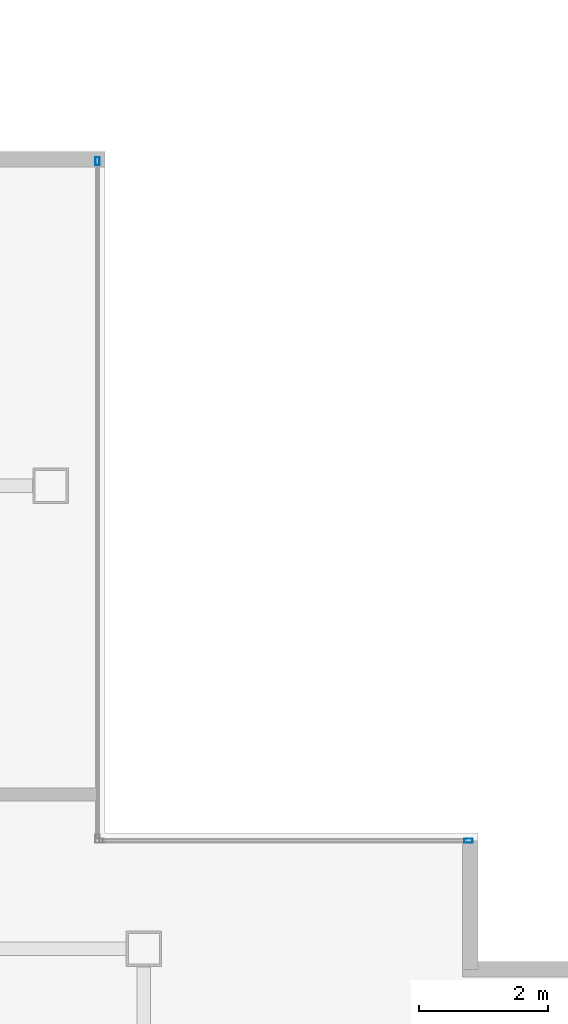
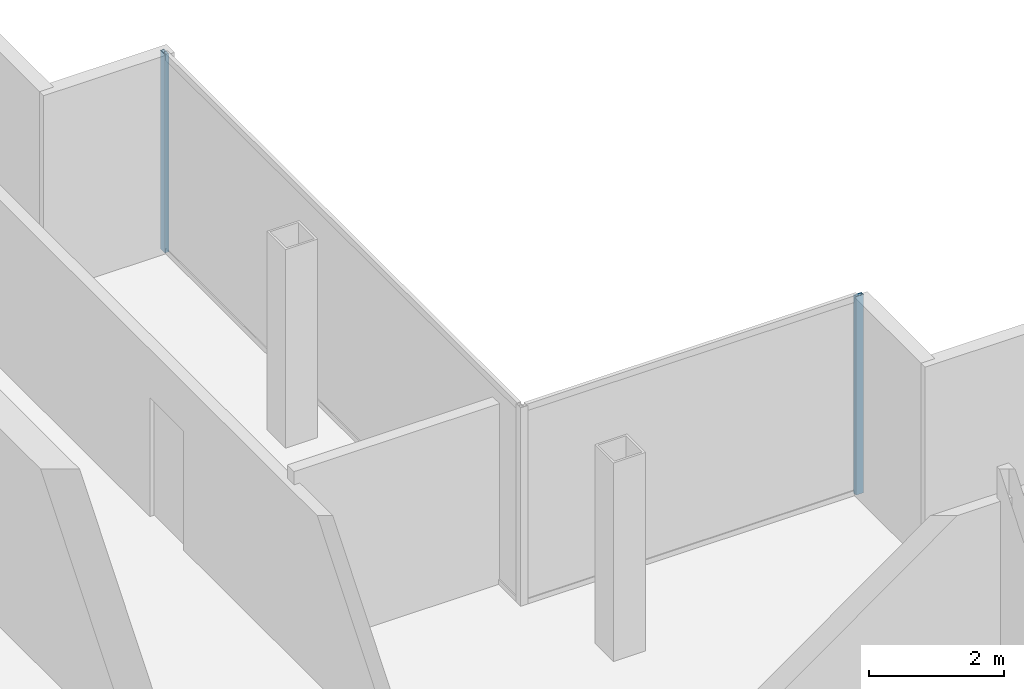
# One storey, part 11 of 15: 2 members, 2 elements without a shape of their own.
"""IFC4 building model written with IfcOpenShell, lengths in metres."""

from ifc_helpers import new_model, si_unit, direction, frame, origin, origin_2d, place, context, subcontext, project, spatial, hollow_rectangle, extrude, material, material_profile, profile_set, type_object, element, aggregate, save


model = new_model("IFC4")

# Units and contexts
model_context = context("Model", 3, precision=1e-05, world=origin(), true_north=direction((0.0, 1.0)))
body_context = subcontext(model_context, "Body", "Model", "MODEL_VIEW")
ifc_project = project(units=[si_unit("LENGTHUNIT", "METRE"), si_unit("AREAUNIT", "SQUARE_METRE"), si_unit("VOLUMEUNIT", "CUBIC_METRE"), si_unit("PLANEANGLEUNIT", "RADIAN"), si_unit("MASSUNIT", "GRAM", prefix="KILO")], contexts=[model_context])

# Site, building, storey
site_placement = place(None, origin())
site = spatial("IfcSite", under=ifc_project, at=site_placement, CompositionType="ELEMENT")
building_placement = place(site_placement, origin())
building = spatial("IfcBuilding", under=site, at=building_placement, Name="Cobrela Telecom Tower", CompositionType="ELEMENT")
storey_placement = place(building_placement, frame((0.0, 0.0, 297.5)))
storey = spatial("IfcBuildingStorey", under=building, at=storey_placement, Name="L78", CompositionType="ELEMENT", Elevation=297.5)

# Curtain wall, member
ifc_material = material(Name="Anodized Bronze Aluminium 6063-T6", Category="aluminium")
curtain_wall_type = type_object("IfcCurtainWallType", Name="CW-SYS-DRUM", PredefinedType="USERDEFINED", material=ifc_material)
curtain_wall_1_placement = place(storey_placement, origin())
curtain_wall_1 = element("IfcCurtainWall", 1, at=curtain_wall_1_placement, inside=storey, type_object=curtain_wall_type, Name="L78 Unitised Bronze Curtain Wall 04", ObjectType="UNITISED CURTAIN WALL", PredefinedType="USERDEFINED")
ifc_material_profile = material_profile(ifc_material, hollow_rectangle(XDim=0.06494140625, YDim=0.1298828125, WallThickness=0.00390625, at=origin_2d()), Name="ALU 65x130x4")
ifc_profile_set = profile_set([ifc_material_profile], Name="Anodized Bronze Aluminium 6063-T6")
member_type = type_object("IfcMemberType", Name="CW-SYS-DRUM-MUL", PredefinedType="MULLION", material=ifc_profile_set)
member_1_placement = place(storey_placement, frame((20.8798828125, 33.847412109375, 0.0), z_axis=(0.0, 0.0, 1.0), x_axis=(1.0, 0.0, 0.0)))
member_1 = element("IfcMember", 2, at=member_1_placement, type_object=member_type, Name="CW-DRUM mullion 1", PredefinedType="MULLION", context=body_context, shape_type="SweptSolid", body=[
    extrude(hollow_rectangle(XDim=0.06494140625, YDim=0.1298828125, WallThickness=0.00390625, at=origin_2d()), origin(), (0.0, 0.0, 1.0), 3.590087890625),
])
aggregate(curtain_wall_1, [member_1])

curtain_wall_2_placement = place(storey_placement, origin())
curtain_wall_2 = element("IfcCurtainWall", 3, at=curtain_wall_2_placement, inside=storey, type_object=curtain_wall_type, Name="L78 Unitised Bronze Curtain Wall 05", ObjectType="UNITISED CURTAIN WALL", PredefinedType="USERDEFINED")
member_2_placement = place(storey_placement, frame((26.6474609375, 23.280029296875, 0.0), z_axis=(0.0, 0.0, 1.0), x_axis=(0.0, 1.0, 0.0)))
member_2 = element("IfcMember", 4, at=member_2_placement, type_object=member_type, Name="CW-DRUM mullion 2", PredefinedType="MULLION", context=body_context, shape_type="SweptSolid", body=[
    extrude(hollow_rectangle(XDim=0.06494140625, YDim=0.1298828125, WallThickness=0.00390625, at=origin_2d()), origin(), (0.0, 0.0, 1.0), 3.590087890625),
])
aggregate(curtain_wall_2, [member_2])

save(model, "model.ifc")
